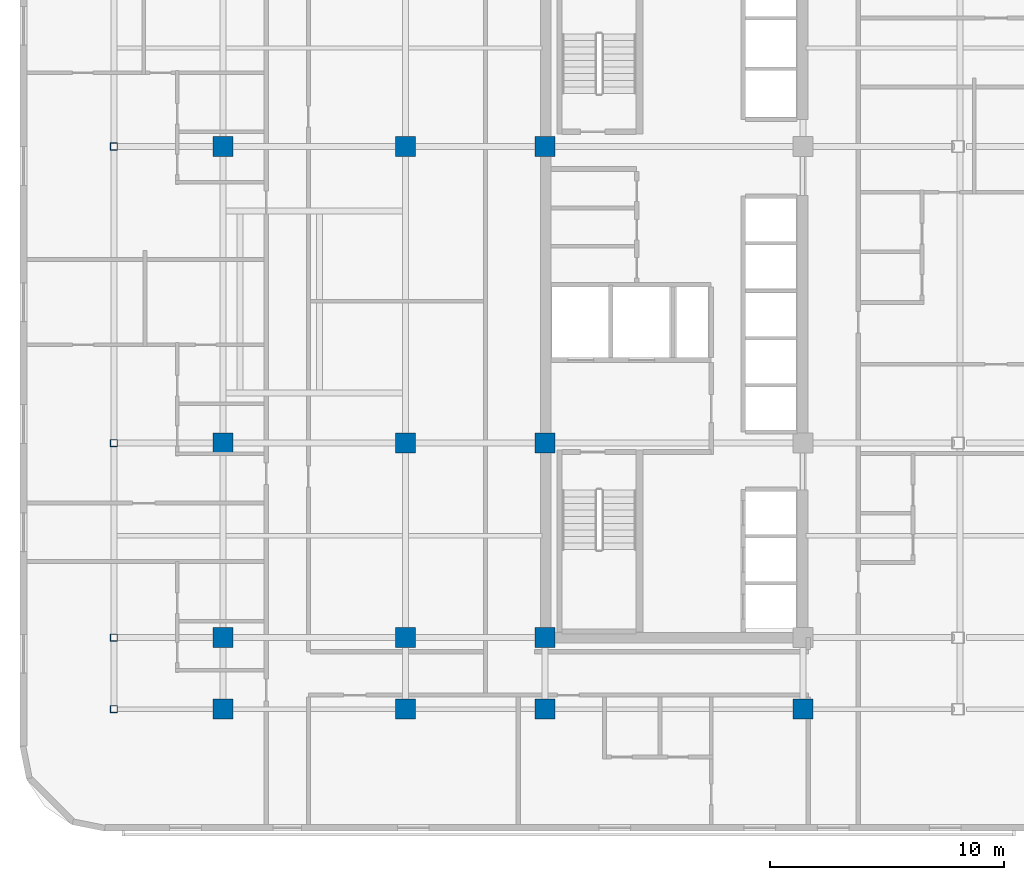
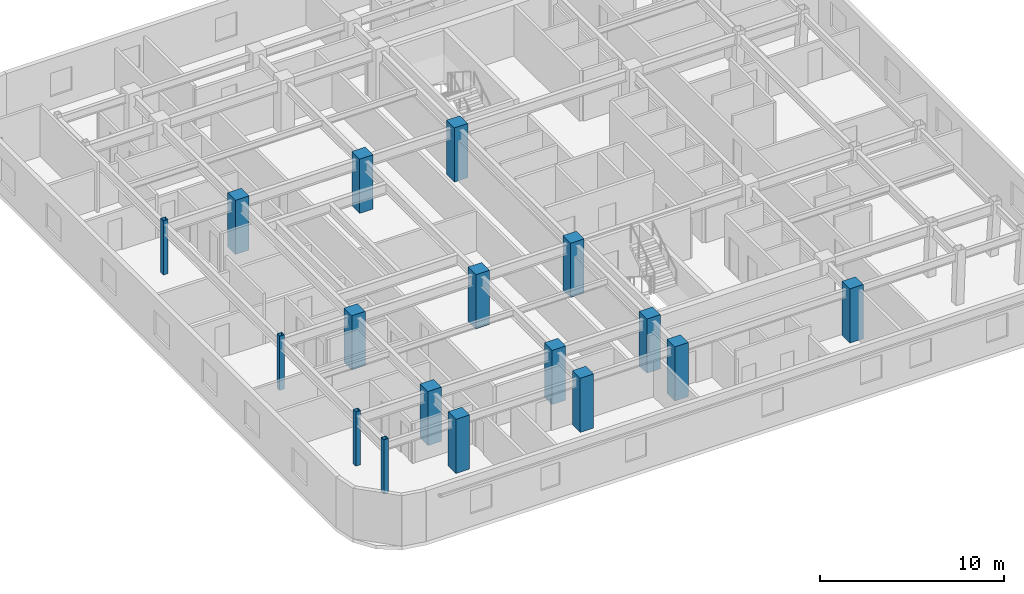
# One storey, part 1 of 14: 17 columns.
"""IFC4 building model written with IfcOpenShell, lengths in metres."""

from ifc_helpers import new_model, si_unit, direction, frame, origin, origin_2d, place, context, subcontext, project, spatial, rectangle, hollow_rectangle, extrude, material, material_profile, profile_set, type_object, element, save


model = new_model("IFC4")

# Units and contexts
model_context = context("Model", 3, precision=1e-05, world=origin(), true_north=direction((0.0, 1.0)))
body_context = subcontext(model_context, "Body", "Model", "MODEL_VIEW")
ifc_project = project(units=[si_unit("LENGTHUNIT", "METRE"), si_unit("AREAUNIT", "SQUARE_METRE"), si_unit("VOLUMEUNIT", "CUBIC_METRE"), si_unit("PLANEANGLEUNIT", "RADIAN"), si_unit("MASSUNIT", "GRAM", prefix="KILO")], contexts=[model_context])

# Site, building, storey
site_placement = place(None, origin())
site = spatial("IfcSite", under=ifc_project, at=site_placement, CompositionType="ELEMENT")
building_placement = place(site_placement, origin())
building = spatial("IfcBuilding", under=site, at=building_placement, Name="Ochreholt Gables", CompositionType="ELEMENT")
storey_placement = place(building_placement, frame((0.0, 0.0, 52.800048828125)))
storey = spatial("IfcBuildingStorey", under=building, at=storey_placement, Name="L13", CompositionType="ELEMENT", Elevation=52.800048828125)

# Columns
ifc_material_1 = material(Name="Steel CSA G40.21 350W", Category="steel")
ifc_material_profile_1 = material_profile(ifc_material_1, hollow_rectangle(XDim=0.304931640625, YDim=0.304931640625, WallThickness=0.0126953125, at=origin_2d()), Name="HSS305X305X13")
ifc_profile_set_1 = profile_set([ifc_material_profile_1], Name="Steel CSA G40.21 350W")
column_type_1 = type_object("IfcColumnType", Name="COL-HSS305-EXT", PredefinedType="COLUMN", material=ifc_profile_set_1)
for number, where, z_axis, x_axis, name in (
    (1, (5.800048828125, 6.199951171875, 0.0), (0.0, 0.0, 1.0), (1.0, 0.0, 0.0), "L13 Column WTY1"),
    (2, (5.800048828125, 9.25, 0.0), (0.0, 0.0, 1.0), (1.0, 0.0, 0.0), "L13 Column WTY2"),
    (3, (5.800048828125, 17.550048828125, 0.0), (0.0, 0.0, 1.0), (1.0, 0.0, 0.0), "L13 Column WTY3"),
    (4, (5.800048828125, 30.199951171875, 0.0), (0.0, 0.0, 1.0), (1.0, 0.0, 0.0), "L13 Column WTY4"),
):
    element("IfcColumn", number, at=place(storey_placement, frame(where, z_axis=z_axis, x_axis=x_axis)), inside=storey, type_object=column_type_1, Name=name, PredefinedType="COLUMN", context=body_context, shape_type="SweptSolid", body=[
        extrude(hollow_rectangle(XDim=0.304931640625, YDim=0.304931640625, WallThickness=0.0126953125, at=origin_2d()), origin(), (0.0, 0.0, 1.0), 3.599853515625),
    ])
ifc_material_2 = material(Name="Concrete 60 MPa", Category="concrete")
ifc_material_profile_2 = material_profile(ifc_material_2, rectangle(XDim=0.85009765625, YDim=0.85009765625, at=origin_2d()), Name="RC850X850")
ifc_profile_set_2 = profile_set([ifc_material_profile_2], Name="Concrete 60 MPa")
column_type_2 = type_object("IfcColumnType", Name="COL-RC850-EXT", PredefinedType="COLUMN", material=ifc_profile_set_2)
for number, where, z_axis, x_axis, name in (
    (5, (10.449951171875, 6.199951171875, 0.0), (0.0, 0.0, 1.0), (1.0, 0.0, 0.0), "L13 Column W2Y1"),
    (6, (18.25, 6.199951171875, 0.0), (0.0, 0.0, 1.0), (1.0, 0.0, 0.0), "L13 Column W3Y1"),
    (7, (24.199951171875, 6.199951171875, 0.0), (0.0, 0.0, 1.0), (1.0, 0.0, 0.0), "L13 Column C1Y1"),
    (8, (35.199951171875, 6.199951171875, 0.0), (0.0, 0.0, 1.0), (1.0, 0.0, 0.0), "L13 Column C2Y1"),
):
    element("IfcColumn", number, at=place(storey_placement, frame(where, z_axis=z_axis, x_axis=x_axis)), inside=storey, type_object=column_type_2, Name=name, PredefinedType="COLUMN", context=body_context, shape_type="SweptSolid", body=[
        extrude(rectangle(XDim=0.85009765625, YDim=0.85009765625, at=origin_2d()), origin(), (0.0, 0.0, 1.0), 3.599853515625),
    ])
ifc_material_profile_3 = material_profile(ifc_material_2, rectangle(XDim=0.85009765625, YDim=0.85009765625, at=origin_2d()), Name="RC850X850")
ifc_profile_set_3 = profile_set([ifc_material_profile_3], Name="Concrete 60 MPa")
column_type_3 = type_object("IfcColumnType", Name="COL-RC850-INT", PredefinedType="COLUMN", material=ifc_profile_set_3)
for number, where, z_axis, x_axis, name in (
    (9, (10.449951171875, 9.25, 0.0), (0.0, 0.0, 1.0), (1.0, 0.0, 0.0), "L13 Column W2Y2"),
    (10, (10.449951171875, 17.550048828125, 0.0), (0.0, 0.0, 1.0), (1.0, 0.0, 0.0), "L13 Column W2Y3"),
    (11, (10.449951171875, 30.199951171875, 0.0), (0.0, 0.0, 1.0), (1.0, 0.0, 0.0), "L13 Column W2Y4"),
    (12, (18.25, 9.25, 0.0), (0.0, 0.0, 1.0), (1.0, 0.0, 0.0), "L13 Column W3Y2"),
    (13, (18.25, 17.550048828125, 0.0), (0.0, 0.0, 1.0), (1.0, 0.0, 0.0), "L13 Column W3Y3"),
    (14, (18.25, 30.199951171875, 0.0), (0.0, 0.0, 1.0), (1.0, 0.0, 0.0), "L13 Column W3Y4"),
    (15, (24.199951171875, 9.25, 0.0), (0.0, 0.0, 1.0), (1.0, 0.0, 0.0), "L13 Column C1Y2"),
    (16, (24.199951171875, 17.550048828125, 0.0), (0.0, 0.0, 1.0), (1.0, 0.0, 0.0), "L13 Column C1Y3"),
    (17, (24.199951171875, 30.199951171875, 0.0), (0.0, 0.0, 1.0), (1.0, 0.0, 0.0), "L13 Column C1Y4"),
):
    element("IfcColumn", number, at=place(storey_placement, frame(where, z_axis=z_axis, x_axis=x_axis)), inside=storey, type_object=column_type_3, Name=name, PredefinedType="COLUMN", context=body_context, shape_type="SweptSolid", body=[
        extrude(rectangle(XDim=0.85009765625, YDim=0.85009765625, at=origin_2d()), origin(), (0.0, 0.0, 1.0), 3.599853515625),
    ])

save(model, "model.ifc")
